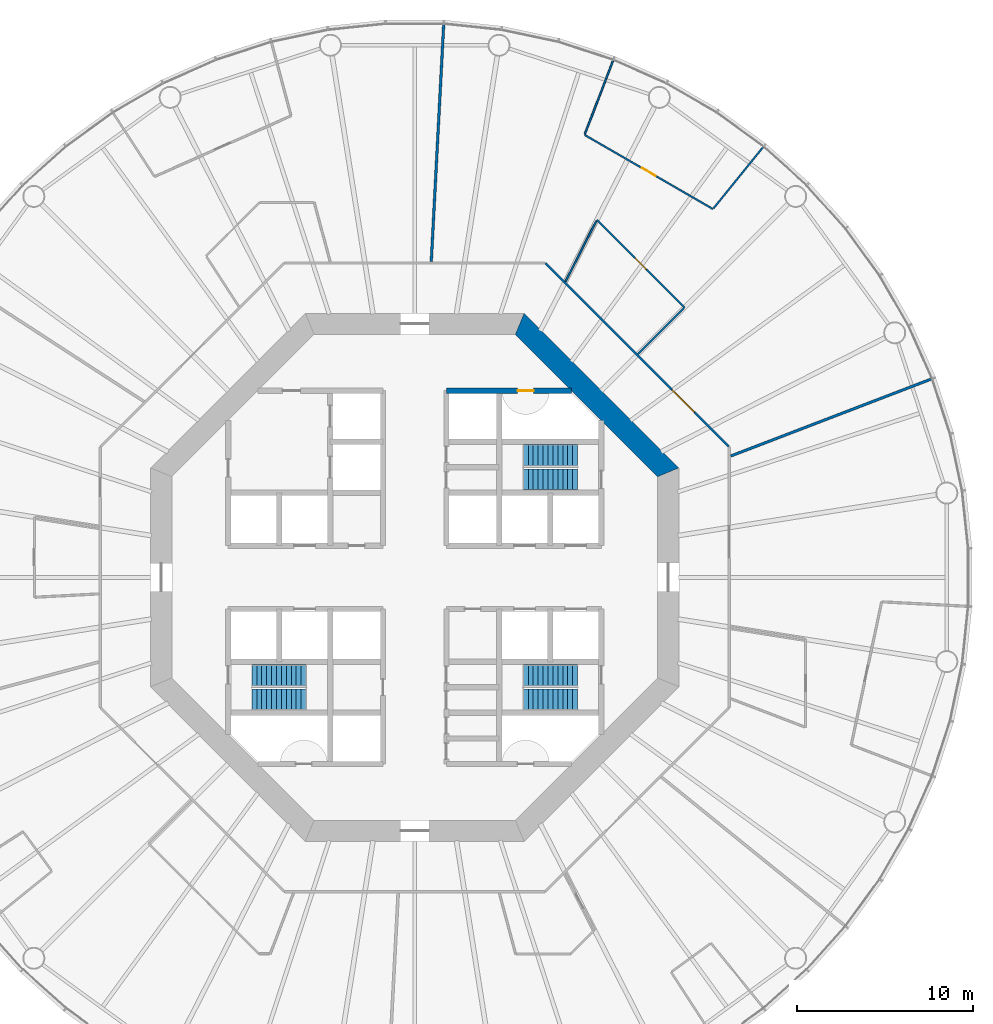
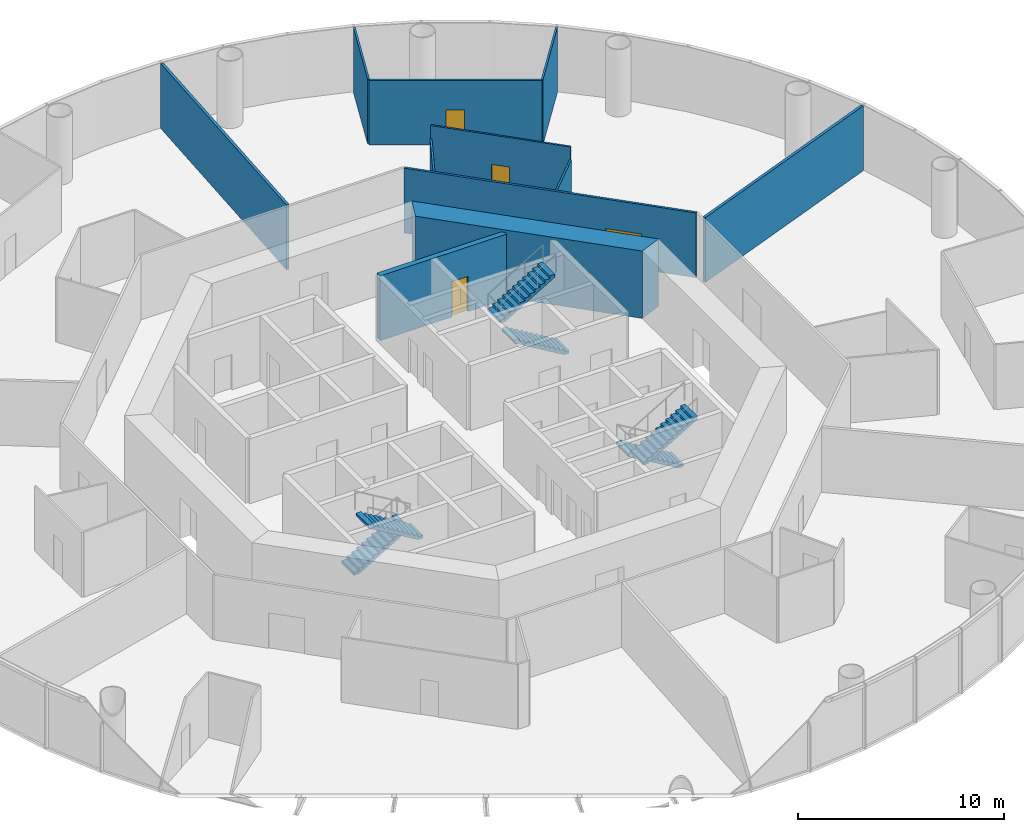
# One storey, part 6 of 13: 11 walls, 6 stair flights, 4 doors, 4 openings, 3 elements without a shape of their own.
"""IFC4 building model written with IfcOpenShell, lengths in metres."""

from ifc_helpers import new_model, si_unit, direction, frame, frame_2d, origin, place, context, subcontext, project, spatial, polyline, rectangle, outline, extrude, material, layer, layer_set, type_object, element, fill, aggregate, save


model = new_model("IFC4")

# Units and contexts
model_context = context("Model", 3, precision=1e-05, world=origin(), true_north=direction((0.0, 1.0)))
body_context = subcontext(model_context, "Body", "Model", "MODEL_VIEW")
ifc_project = project(units=[si_unit("LENGTHUNIT", "METRE"), si_unit("AREAUNIT", "SQUARE_METRE"), si_unit("VOLUMEUNIT", "CUBIC_METRE"), si_unit("PLANEANGLEUNIT", "RADIAN"), si_unit("MASSUNIT", "GRAM", prefix="KILO")], contexts=[model_context])

# Site, building, storey
site_placement = place(None, origin())
site = spatial("IfcSite", under=ifc_project, at=site_placement, CompositionType="ELEMENT")
building_placement = place(site_placement, origin())
building = spatial("IfcBuilding", under=site, at=building_placement, Name="Entoto Ring Tower", CompositionType="ELEMENT")
storey_placement = place(building_placement, frame((0.0, 0.0, 88.0)))
storey = spatial("IfcBuildingStorey", under=building, at=storey_placement, Name="L19", CompositionType="ELEMENT", Elevation=88.0)

# Wall, opening, door
ifc_material_1 = material(Name="Concrete C40/50", Category="concrete")
ifc_layer_1 = layer(ifc_material_1, 0.300048828125)
ifc_layer_set_1 = layer_set([ifc_layer_1], Name="Concrete C40/50")
wall_type_1 = type_object("IfcWallType", Name="Core enclosure wall 300 mm reinforced concrete", PredefinedType="SOLIDWALL", material=ifc_layer_set_1)
wall_1_placement = place(storey_placement, frame((91.800048828125, 90.60009765625, 0.0), z_axis=(0.0, 0.0, 1.0), x_axis=(1.0, 0.0, 0.0)))
wall_1 = element("IfcWall", 1, at=wall_1_placement, inside=storey, type_object=wall_type_1, Name="wall-L19-035", PredefinedType="SOLIDWALL", context=body_context, shape_type="SweptSolid", body=[
    extrude(rectangle(XDim=7.115966796875, YDim=0.300048828125, at=frame_2d((3.55810546875, 0.0))), origin(), (0.0, 0.0, 1.0), 3.85009765625),
])
opening_1_placement = place(wall_1_placement, frame((4.050048828125, 0.0, 0.0)))
opening_1 = element("IfcOpeningElement", 2, at=opening_1_placement, cuts=wall_1, Name="Opening K-72", PredefinedType="OPENING", context=body_context, shape_type="SweptSolid", body=[
    extrude(rectangle(XDim=0.89990234375, YDim=2.10009765625, at=frame_2d((0.449951171875, 1.050048828125))), frame((0.0, 0.16015625, 0.0), z_axis=(0.0, -1.0, 0.0), x_axis=(1.0, 0.0, 0.0)), (0.0, 0.0, 1.0), 0.320068359375),
])
ifc_material_2 = material(Name="Steel door leaf, fire rated", Category="steel")
ifc_layer_2 = layer(ifc_material_2, 0.050048828125)
ifc_layer_set_2 = layer_set([ifc_layer_2], Name="Steel door leaf, fire rated")
door_type_1 = type_object("IfcDoorType", Name="Riser door FD60 900 x 2100 single leaf", OperationType="NOTDEFINED", PredefinedType="DOOR", material=ifc_layer_set_2)
door_1_placement = place(opening_1_placement, frame((0.89990234375, 0.0, 0.0), z_axis=(0.0, 0.0, 1.0), x_axis=(-1.0, 0.0, 0.0)))
door_1 = element("IfcDoor", 3, at=door_1_placement, inside=storey, type_object=door_type_1, Name="Door K-72", OperationType="SINGLE_SWING_LEFT", OverallHeight=2.10009765625, OverallWidth=0.89990234375, PredefinedType="DOOR", context=body_context, shape_type="SweptSolid", body=[
    extrude(rectangle(XDim=0.89990234375, YDim=2.10009765625, at=frame_2d((0.449951171875, 1.050048828125))), frame((0.0, 0.02490234375, 0.0), z_axis=(0.0, -1.0, 0.0), x_axis=(1.0, 0.0, 0.0)), (0.0, 0.0, 1.0), 0.050048828125),
])
fill(opening_1, door_1)

# Wall
ifc_material_3 = material(Name="Concrete C60/75", Category="concrete")
ifc_layer_3 = layer(ifc_material_3, 1.199951171875)
ifc_layer_set_3 = layer_set([ifc_layer_3], Name="Concrete C60/75")
wall_type_2 = type_object("IfcWallType", Name="Core shear wall 1200 mm reinforced concrete C60/75", PredefinedType="SHEAR", material=ifc_layer_set_3)
wall_2_placement = place(storey_placement, frame((104.39990234375, 85.964599609375, 0.0), z_axis=(0.0, 0.0, 1.0), x_axis=(-0.707106781187, 0.707106781187, 0.0)))
element("IfcWall", 4, at=wall_2_placement, inside=storey, type_object=wall_type_2, Name="wall-L19-core-1", PredefinedType="SHEAR", context=body_context, shape_type="SweptSolid", body=[
    extrude(outline(polyline([(-0.24853515625, -0.60009765625), (12.177734375, -0.60009765625), (11.6806640625, 0.60009765625), (0.24853515625, 0.60009765625), (-0.24853515625, -0.60009765625)])), origin(), (0.0, 0.0, 1.0), 4.0),
])

# Wall, opening, door
ifc_material_4 = material(Name="Fire-resisting plasterboard on steel studs", Category="steel")
ifc_layer_4 = layer(ifc_material_4, 0.125)
ifc_layer_set_4 = layer_set([ifc_layer_4], Name="Fire-resisting plasterboard on steel studs")
wall_type_3 = type_object("IfcWallType", Name="Corridor wall 125 mm one-hour plasterboard on steel studs", PredefinedType="PARTITIONING", material=ifc_layer_set_4)
wall_3_placement = place(storey_placement, frame((107.831298828125, 87.429931640625, 0.0), z_axis=(0.0, 0.0, 1.0), x_axis=(-0.707106781187, 0.707106781187, 0.0)))
wall_3 = element("IfcWall", 5, at=wall_3_placement, inside=storey, type_object=wall_type_3, Name="partition-L19-008", PredefinedType="PARTITIONING", context=body_context, shape_type="SweptSolid", body=[
    extrude(rectangle(XDim=14.709716796875, YDim=0.125, at=frame_2d((7.35498046875, 0.0))), origin(), (0.0, 0.0, 1.0), 3.85009765625),
])
opening_2_placement = place(wall_3_placement, frame((2.755615234375, 0.0, 0.0)))
opening_2 = element("IfcOpeningElement", 6, at=opening_2_placement, cuts=wall_3, Name="Opening A08-D04", PredefinedType="OPENING", context=body_context, shape_type="SweptSolid", body=[
    extrude(rectangle(XDim=1.800048828125, YDim=2.10009765625, at=frame_2d((0.89990234375, 1.050048828125))), frame((0.0, 0.072509765625, 0.0), z_axis=(0.0, -1.0, 0.0), x_axis=(1.0, 0.0, 0.0)), (0.0, 0.0, 1.0), 0.14501953125),
])
ifc_material_5 = material(Name="Fire-resisting timber door set", Category="wood")
door_type_2 = type_object("IfcDoorType", Name="Door 1800 x 2100 double leaf FD30S fire door", OperationType="DOUBLE_DOOR_SINGLE_SWING", PredefinedType="DOOR", material=ifc_material_5)
door_2_placement = place(opening_2_placement, frame((1.800048828125, 0.0, 0.0), z_axis=(0.0, 0.0, 1.0), x_axis=(-1.0, 0.0, 0.0)))
door_2 = element("IfcDoor", 7, at=door_2_placement, inside=storey, type_object=door_type_2, Name="Door A08-D04", OperationType="DOUBLE_DOOR_SINGLE_SWING", OverallHeight=2.10009765625, OverallWidth=1.800048828125, PredefinedType="DOOR", context=body_context, shape_type="SweptSolid", body=[
    extrude(rectangle(XDim=1.800048828125, YDim=2.10009765625, at=frame_2d((0.89990234375, 1.050048828125))), frame((0.0, 0.02490234375, 0.0), z_axis=(0.0, -1.0, 0.0), x_axis=(1.0, 0.0, 0.0)), (0.0, 0.0, 1.0), 0.050048828125),
])
fill(opening_2, door_2)

ifc_material_6 = material(Name="Plasterboard on steel studs", Category="steel")
ifc_layer_5 = layer(ifc_material_6, 0.10009765625)
ifc_layer_set_5 = layer_set([ifc_layer_5], Name="Plasterboard on steel studs")
wall_type_4 = type_object("IfcWallType", Name="Partition 100 mm plasterboard on steel studs", PredefinedType="PARTITIONING", material=ifc_layer_set_5)
wall_4_placement = place(storey_placement, frame((106.94140625, 100.9208984375, 0.0), z_axis=(0.0, 0.0, 1.0), x_axis=(-0.866031604091, 0.499989260601, 0.0)))
wall_4 = element("IfcWall", 8, at=wall_4_placement, inside=storey, type_object=wall_type_4, Name="partition-L19-017", PredefinedType="PARTITIONING", context=body_context, shape_type="SweptSolid", body=[
    extrude(rectangle(XDim=8.422607421875, YDim=0.10009765625, at=frame_2d((4.21142578125, 0.0))), origin(), (0.0, 0.0, 1.0), 3.85009765625),
])
opening_3_placement = place(wall_4_placement, frame((3.76123046875, 0.0, 0.0)))
opening_3 = element("IfcOpeningElement", 9, at=opening_3_placement, cuts=wall_4, Name="Opening A08-D06", PredefinedType="OPENING", context=body_context, shape_type="SweptSolid", body=[
    extrude(rectangle(XDim=0.89990234375, YDim=2.10009765625, at=frame_2d((0.449951171875, 1.050048828125))), frame((0.0, 0.06005859375, 0.0), z_axis=(0.0, -1.0, 0.0), x_axis=(1.0, 0.0, 0.0)), (0.0, 0.0, 1.0), 0.1201171875),
])
ifc_material_7 = material(Name="Veneered timber door leaf in timber frame", Category="wood")
door_type_3 = type_object("IfcDoorType", Name="Door 900 x 2100 single leaf timber veneer", OperationType="NOTDEFINED", PredefinedType="DOOR", material=ifc_material_7)
door_3_placement = place(opening_3_placement, frame((0.89990234375, 0.0, 0.0), z_axis=(0.0, 0.0, 1.0), x_axis=(-1.0, 0.0, 0.0)))
door_3 = element("IfcDoor", 10, at=door_3_placement, inside=storey, type_object=door_type_3, Name="Door A08-D06", OperationType="SINGLE_SWING_RIGHT", OverallHeight=2.10009765625, OverallWidth=0.89990234375, PredefinedType="DOOR", context=body_context, shape_type="SweptSolid", body=[
    extrude(rectangle(XDim=0.89990234375, YDim=2.10009765625, at=frame_2d((0.449951171875, 1.050048828125))), frame((0.0, 0.02490234375, 0.0), z_axis=(0.0, -1.0, 0.0), x_axis=(1.0, 0.0, 0.0)), (0.0, 0.0, 1.0), 0.050048828125),
])
fill(opening_3, door_3)

wall_5_placement = place(storey_placement, frame((105.32470703125, 95.32470703125, 0.0), z_axis=(0.0, 0.0, 1.0), x_axis=(-0.707089446102, 0.707124115846, 0.0)))
wall_5 = element("IfcWall", 11, at=wall_5_placement, inside=storey, type_object=wall_type_4, Name="partition-L19-019", PredefinedType="PARTITIONING", context=body_context, shape_type="SweptSolid", body=[
    extrude(rectangle(XDim=7.0419921875, YDim=0.10009765625, at=frame_2d((3.52099609375, 0.0))), origin(), (0.0, 0.0, 1.0), 3.85009765625),
])
opening_4_placement = place(wall_5_placement, frame((3.07080078125, 0.0, 0.0)))
opening_4 = element("IfcOpeningElement", 12, at=opening_4_placement, cuts=wall_5, Name="Opening A08-D05", PredefinedType="OPENING", context=body_context, shape_type="SweptSolid", body=[
    extrude(rectangle(XDim=0.89990234375, YDim=2.10009765625, at=frame_2d((0.449951171875, 1.050048828125))), frame((0.0, 0.06005859375, 0.0), z_axis=(0.0, -1.0, 0.0), x_axis=(1.0, 0.0, 0.0)), (0.0, 0.0, 1.0), 0.1201171875),
])
door_4_placement = place(opening_4_placement, origin())
door_4 = element("IfcDoor", 13, at=door_4_placement, inside=storey, type_object=door_type_3, Name="Door A08-D05", OperationType="SINGLE_SWING_RIGHT", OverallHeight=2.10009765625, OverallWidth=0.89990234375, PredefinedType="DOOR", context=body_context, shape_type="SweptSolid", body=[
    extrude(rectangle(XDim=0.89990234375, YDim=2.10009765625, at=frame_2d((0.449951171875, 1.050048828125))), frame((0.0, 0.02490234375, 0.0), z_axis=(0.0, -1.0, 0.0), x_axis=(1.0, 0.0, 0.0)), (0.0, 0.0, 1.0), 0.050048828125),
])
fill(opening_4, door_4)

# Walls
wall_6_placement = place(storey_placement, frame((99.664794921875, 105.177978515625, 0.0), z_axis=(0.0, 0.0, 1.0), x_axis=(0.35838986467, 0.933572013774, 0.0)))
element("IfcWall", 14, at=wall_6_placement, inside=storey, type_object=wall_type_4, Name="partition-L19-030", PredefinedType="PARTITIONING", context=body_context, shape_type="SweptSolid", body=[
    extrude(rectangle(XDim=4.470703125, YDim=0.10009765625, at=frame_2d((2.2353515625, 0.0))), origin(), (0.0, 0.0, 1.0), 3.85009765625),
])
wall_7_placement = place(storey_placement, frame((106.972412109375, 100.958984375, 0.0), z_axis=(0.0, 0.0, 1.0), x_axis=(0.629292477431, 0.77716856463, 0.0)))
element("IfcWall", 15, at=wall_7_placement, inside=storey, type_object=wall_type_4, Name="partition-L19-031", PredefinedType="PARTITIONING", context=body_context, shape_type="SweptSolid", body=[
    extrude(rectangle(XDim=4.470947265625, YDim=0.10009765625, at=frame_2d((2.2353515625, 0.0))), origin(), (0.0, 0.0, 1.0), 3.85009765625),
])
ifc_material_8 = material(Name="Plasterboard on steel studs", Category="steel")
ifc_layer_6 = layer(ifc_material_8, 0.10009765625)
ifc_layer_set_6 = layer_set([ifc_layer_6], Name="Plasterboard on steel studs")
wall_type_5 = type_object("IfcWallType", Name="Partition 100 mm plasterboard on steel studs, 3097 mm high", PredefinedType="PARTITIONING", material=ifc_layer_set_6)
wall_8_placement = place(storey_placement, frame((98.56396484375, 96.8076171875, 0.0), z_axis=(0.0, 0.0, 1.0), x_axis=(0.453963724788, 0.891020166201, 0.0)))
element("IfcWall", 16, at=wall_8_placement, inside=storey, type_object=wall_type_5, Name="partition-L19-038", PredefinedType="PARTITIONING", context=body_context, shape_type="SweptSolid", body=[
    extrude(rectangle(XDim=3.85546875, YDim=0.10009765625, at=frame_2d((1.927734375, 0.0))), origin(), (0.0, 0.0, 1.0), 3.096923828125),
])
wall_9_placement = place(storey_placement, frame((102.675048828125, 92.675048828125, 0.0), z_axis=(0.0, 0.0, 1.0), x_axis=(0.707106781187, 0.707106781187, 0.0)))
element("IfcWall", 17, at=wall_9_placement, inside=storey, type_object=wall_type_5, Name="partition-L19-039", PredefinedType="PARTITIONING", context=body_context, shape_type="SweptSolid", body=[
    extrude(rectangle(XDim=3.697021484375, YDim=0.10009765625, at=frame_2d((1.8486328125, 0.0))), origin(), (0.0, 0.0, 1.0), 3.096923828125),
])
ifc_material_9 = material(Name="Fire-resisting acoustic plasterboard on steel studs", Category="steel")
ifc_layer_7 = layer(ifc_material_9, 0.14990234375)
ifc_layer_set_7 = layer_set([ifc_layer_7], Name="Fire-resisting acoustic plasterboard on steel studs")
wall_type_6 = type_object("IfcWallType", Name="Party wall 150 mm one-hour acoustic plasterboard on steel studs", PredefinedType="PARTITIONING", material=ifc_layer_set_7)
wall_10_placement = place(storey_placement, frame((90.939697265625, 97.928955078125, 0.0), z_axis=(0.0, 0.0, 1.0), x_axis=(0.052334599665, 0.998629605849, 0.0)))
element("IfcWall", 18, at=wall_10_placement, inside=storey, type_object=wall_type_6, Name="partition-L19-010", PredefinedType="PARTITIONING", context=body_context, shape_type="SweptSolid", body=[
    extrude(rectangle(XDim=13.486572265625, YDim=0.14990234375, at=frame_2d((6.7431640625, 0.0))), origin(), (0.0, 0.0, 1.0), 3.85009765625),
])
wall_11_placement = place(storey_placement, frame((107.95166015625, 86.89111328125, 0.0), z_axis=(0.0, 0.0, 1.0), x_axis=(0.933583979108, 0.35835869454, 0.0)))
element("IfcWall", 19, at=wall_11_placement, inside=storey, type_object=wall_type_6, Name="partition-L19-014", PredefinedType="PARTITIONING", context=body_context, shape_type="SweptSolid", body=[
    extrude(rectangle(XDim=12.211181640625, YDim=0.14990234375, at=frame_2d((6.10546875, 0.0))), origin(), (0.0, 0.0, 1.0), 3.85009765625),
])

# Stair, stair flights
ifc_material_10 = material(Name="Concrete C40/50", Category="concrete")
stair_type = type_object("IfcStairType", Name="Exit stair 1200 mm dog-leg reinforced concrete", PredefinedType="HALF_TURN_STAIR", material=ifc_material_10)
stair_1_placement = place(storey_placement, origin())
stair_1 = element("IfcStair", 20, at=stair_1_placement, inside=storey, type_object=stair_type, Name="Exit stair 1", PredefinedType="HALF_TURN_STAIR")
ifc_material_11 = material(Name="Concrete C40/50", Category="concrete")
stair_flight_type = type_object("IfcStairFlightType", Name="Stair flight 1200 mm reinforced concrete", PredefinedType="STRAIGHT", material=ifc_material_11)
stair_flight_1_placement = place(storey_placement, frame((99.25, 85.550048828125, 0.0), z_axis=(0.0, 0.0, 1.0), x_axis=(-1.0, 0.0, 0.0)))
stair_flight_1 = element("IfcStairFlight", 21, at=stair_flight_1_placement, type_object=stair_flight_type, Name="ST1 flight 1", NumberOfRisers=12, NumberOfTreads=11, PredefinedType="STRAIGHT", RiserHeight=0.166666667, TreadLength=0.28, context=body_context, shape_type="SweptSolid", body=[
    extrude(outline(polyline([(0.0, 0.0), (0.0, 0.166748046875), (0.280029296875, 0.166748046875), (0.280029296875, 0.333251953125), (0.56005859375, 0.333251953125), (0.56005859375, 0.5), (0.840087890625, 0.5), (0.840087890625, 0.666748046875), (1.1201171875, 0.666748046875), (1.1201171875, 0.833251953125), (1.39990234375, 0.833251953125), (1.39990234375, 1.0), (1.679931640625, 1.0), (1.679931640625, 1.166748046875), (1.9599609375, 1.166748046875), (1.9599609375, 1.333251953125), (2.239990234375, 1.333251953125), (2.239990234375, 1.5), (2.52001953125, 1.5), (2.52001953125, 1.666748046875), (2.800048828125, 1.666748046875), (2.800048828125, 1.833251953125), (3.080078125, 1.833251953125), (3.080078125, 2.0), (3.080078125, 1.658935546875), (0.29296875, 0.0), (0.0, 0.0)])), frame((0.0, 0.60009765625, 0.0), z_axis=(0.0, -1.0, 0.0), x_axis=(1.0, 0.0, 0.0)), (0.0, 0.0, 1.0), 1.199951171875),
])
stair_flight_2_placement = place(storey_placement, frame((96.169921875, 86.949951171875, 2.0), z_axis=(0.0, 0.0, 1.0), x_axis=(1.0, 0.0, 0.0)))
stair_flight_2 = element("IfcStairFlight", 22, at=stair_flight_2_placement, type_object=stair_flight_type, Name="ST1 flight 2", NumberOfRisers=12, NumberOfTreads=11, PredefinedType="STRAIGHT", RiserHeight=0.166666667, TreadLength=0.28, context=body_context, shape_type="SweptSolid", body=[
    extrude(outline(polyline([(0.0, 0.0), (0.0, 0.166748046875), (0.280029296875, 0.166748046875), (0.280029296875, 0.333251953125), (0.56005859375, 0.333251953125), (0.56005859375, 0.5), (0.840087890625, 0.5), (0.840087890625, 0.666748046875), (1.1201171875, 0.666748046875), (1.1201171875, 0.833251953125), (1.39990234375, 0.833251953125), (1.39990234375, 1.0), (1.679931640625, 1.0), (1.679931640625, 1.166748046875), (1.9599609375, 1.166748046875), (1.9599609375, 1.333251953125), (2.239990234375, 1.333251953125), (2.239990234375, 1.5), (2.52001953125, 1.5), (2.52001953125, 1.666748046875), (2.800048828125, 1.666748046875), (2.800048828125, 1.833251953125), (3.080078125, 1.833251953125), (3.080078125, 2.0), (3.080078125, 1.658935546875), (0.29296875, 0.0), (0.0, 0.0)])), frame((0.0, 0.60009765625, 0.0), z_axis=(0.0, -1.0, 0.0), x_axis=(1.0, 0.0, 0.0)), (0.0, 0.0, 1.0), 1.199951171875),
])
aggregate(stair_1, [stair_flight_1, stair_flight_2])

stair_2_placement = place(storey_placement, origin())
stair_2 = element("IfcStair", 23, at=stair_2_placement, inside=storey, type_object=stair_type, Name="Exit stair 2", PredefinedType="HALF_TURN_STAIR")
stair_flight_3_placement = place(storey_placement, frame((80.75, 74.449951171875, 0.0), z_axis=(0.0, 0.0, 1.0), x_axis=(1.0, 0.0, 0.0)))
stair_flight_3 = element("IfcStairFlight", 24, at=stair_flight_3_placement, type_object=stair_flight_type, Name="ST2 flight 1", NumberOfRisers=12, NumberOfTreads=11, PredefinedType="STRAIGHT", RiserHeight=0.166666667, TreadLength=0.28, context=body_context, shape_type="SweptSolid", body=[
    extrude(outline(polyline([(0.0, 0.0), (0.0, 0.166748046875), (0.280029296875, 0.166748046875), (0.280029296875, 0.333251953125), (0.56005859375, 0.333251953125), (0.56005859375, 0.5), (0.840087890625, 0.5), (0.840087890625, 0.666748046875), (1.1201171875, 0.666748046875), (1.1201171875, 0.833251953125), (1.39990234375, 0.833251953125), (1.39990234375, 1.0), (1.679931640625, 1.0), (1.679931640625, 1.166748046875), (1.9599609375, 1.166748046875), (1.9599609375, 1.333251953125), (2.239990234375, 1.333251953125), (2.239990234375, 1.5), (2.52001953125, 1.5), (2.52001953125, 1.666748046875), (2.800048828125, 1.666748046875), (2.800048828125, 1.833251953125), (3.080078125, 1.833251953125), (3.080078125, 2.0), (3.080078125, 1.658935546875), (0.29296875, 0.0), (0.0, 0.0)])), frame((0.0, 0.60009765625, 0.0), z_axis=(0.0, -1.0, 0.0), x_axis=(1.0, 0.0, 0.0)), (0.0, 0.0, 1.0), 1.199951171875),
])
stair_flight_4_placement = place(storey_placement, frame((83.830078125, 73.050048828125, 2.0), z_axis=(0.0, 0.0, 1.0), x_axis=(-1.0, 0.0, 0.0)))
stair_flight_4 = element("IfcStairFlight", 25, at=stair_flight_4_placement, type_object=stair_flight_type, Name="ST2 flight 2", NumberOfRisers=12, NumberOfTreads=11, PredefinedType="STRAIGHT", RiserHeight=0.166666667, TreadLength=0.28, context=body_context, shape_type="SweptSolid", body=[
    extrude(outline(polyline([(0.0, 0.0), (0.0, 0.166748046875), (0.280029296875, 0.166748046875), (0.280029296875, 0.333251953125), (0.56005859375, 0.333251953125), (0.56005859375, 0.5), (0.840087890625, 0.5), (0.840087890625, 0.666748046875), (1.1201171875, 0.666748046875), (1.1201171875, 0.833251953125), (1.39990234375, 0.833251953125), (1.39990234375, 1.0), (1.679931640625, 1.0), (1.679931640625, 1.166748046875), (1.9599609375, 1.166748046875), (1.9599609375, 1.333251953125), (2.239990234375, 1.333251953125), (2.239990234375, 1.5), (2.52001953125, 1.5), (2.52001953125, 1.666748046875), (2.800048828125, 1.666748046875), (2.800048828125, 1.833251953125), (3.080078125, 1.833251953125), (3.080078125, 2.0), (3.080078125, 1.658935546875), (0.29296875, 0.0), (0.0, 0.0)])), frame((0.0, 0.60009765625, 0.0), z_axis=(0.0, -1.0, 0.0), x_axis=(1.0, 0.0, 0.0)), (0.0, 0.0, 1.0), 1.199951171875),
])
aggregate(stair_2, [stair_flight_3, stair_flight_4])

stair_3_placement = place(storey_placement, origin())
stair_3 = element("IfcStair", 26, at=stair_3_placement, inside=storey, type_object=stair_type, Name="Exit stair 3", PredefinedType="HALF_TURN_STAIR")
stair_flight_5_placement = place(storey_placement, frame((99.25, 74.449951171875, 0.0), z_axis=(0.0, 0.0, 1.0), x_axis=(-1.0, 0.0, 0.0)))
stair_flight_5 = element("IfcStairFlight", 27, at=stair_flight_5_placement, type_object=stair_flight_type, Name="ST3 flight 1", NumberOfRisers=12, NumberOfTreads=11, PredefinedType="STRAIGHT", RiserHeight=0.166666667, TreadLength=0.28, context=body_context, shape_type="SweptSolid", body=[
    extrude(outline(polyline([(0.0, 0.0), (0.0, 0.166748046875), (0.280029296875, 0.166748046875), (0.280029296875, 0.333251953125), (0.56005859375, 0.333251953125), (0.56005859375, 0.5), (0.840087890625, 0.5), (0.840087890625, 0.666748046875), (1.1201171875, 0.666748046875), (1.1201171875, 0.833251953125), (1.39990234375, 0.833251953125), (1.39990234375, 1.0), (1.679931640625, 1.0), (1.679931640625, 1.166748046875), (1.9599609375, 1.166748046875), (1.9599609375, 1.333251953125), (2.239990234375, 1.333251953125), (2.239990234375, 1.5), (2.52001953125, 1.5), (2.52001953125, 1.666748046875), (2.800048828125, 1.666748046875), (2.800048828125, 1.833251953125), (3.080078125, 1.833251953125), (3.080078125, 2.0), (3.080078125, 1.658935546875), (0.29296875, 0.0), (0.0, 0.0)])), frame((0.0, 0.60009765625, 0.0), z_axis=(0.0, -1.0, 0.0), x_axis=(1.0, 0.0, 0.0)), (0.0, 0.0, 1.0), 1.199951171875),
])
stair_flight_6_placement = place(storey_placement, frame((96.169921875, 73.050048828125, 2.0), z_axis=(0.0, 0.0, 1.0), x_axis=(1.0, 0.0, 0.0)))
stair_flight_6 = element("IfcStairFlight", 28, at=stair_flight_6_placement, type_object=stair_flight_type, Name="ST3 flight 2", NumberOfRisers=12, NumberOfTreads=11, PredefinedType="STRAIGHT", RiserHeight=0.166666667, TreadLength=0.28, context=body_context, shape_type="SweptSolid", body=[
    extrude(outline(polyline([(0.0, 0.0), (0.0, 0.166748046875), (0.280029296875, 0.166748046875), (0.280029296875, 0.333251953125), (0.56005859375, 0.333251953125), (0.56005859375, 0.5), (0.840087890625, 0.5), (0.840087890625, 0.666748046875), (1.1201171875, 0.666748046875), (1.1201171875, 0.833251953125), (1.39990234375, 0.833251953125), (1.39990234375, 1.0), (1.679931640625, 1.0), (1.679931640625, 1.166748046875), (1.9599609375, 1.166748046875), (1.9599609375, 1.333251953125), (2.239990234375, 1.333251953125), (2.239990234375, 1.5), (2.52001953125, 1.5), (2.52001953125, 1.666748046875), (2.800048828125, 1.666748046875), (2.800048828125, 1.833251953125), (3.080078125, 1.833251953125), (3.080078125, 2.0), (3.080078125, 1.658935546875), (0.29296875, 0.0), (0.0, 0.0)])), frame((0.0, 0.60009765625, 0.0), z_axis=(0.0, -1.0, 0.0), x_axis=(1.0, 0.0, 0.0)), (0.0, 0.0, 1.0), 1.199951171875),
])
aggregate(stair_3, [stair_flight_5, stair_flight_6])

save(model, "model.ifc")
